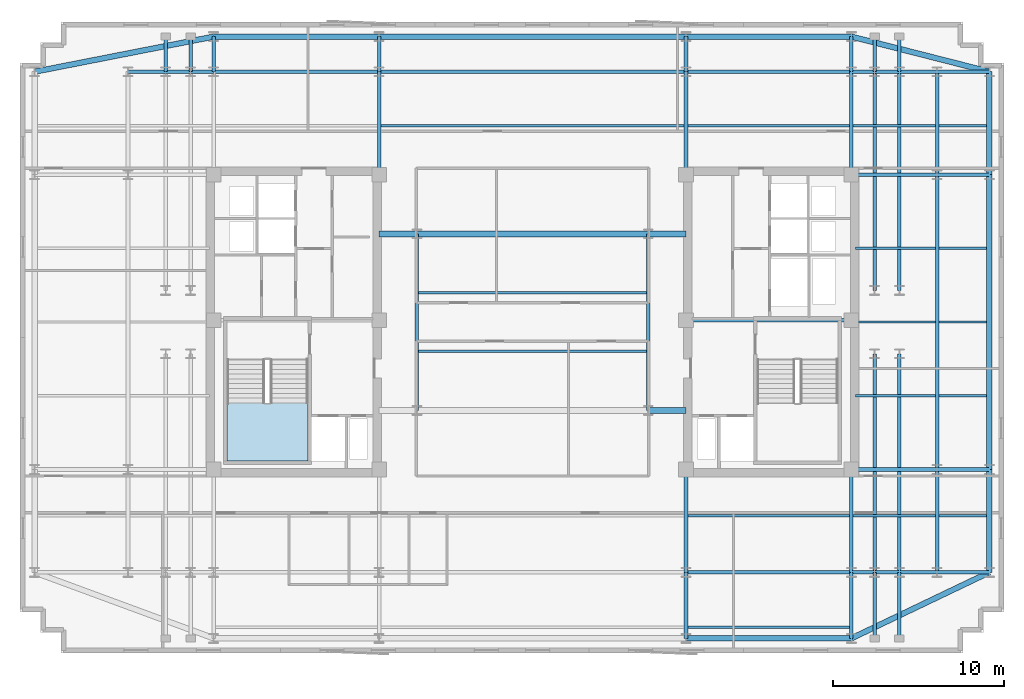
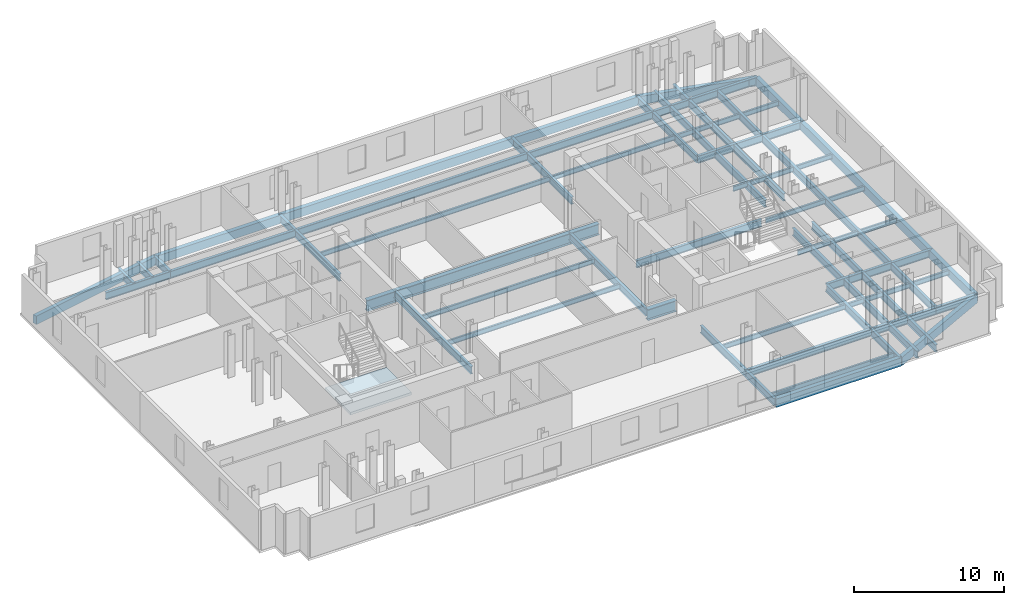
# One storey, part 2 of 9: 70 beams, 1 slab, 1 element without a shape of its own.
"""IFC4 building model written with IfcOpenShell, lengths in metres."""

from ifc_helpers import new_model, si_unit, direction, frame, origin, origin_2d, place, context, subcontext, project, spatial, polyline, rectangle, i_section, outline, extrude, material, layer, layer_set, material_profile, profile_set, type_object, element, aggregate, save


model = new_model("IFC4")

# Units and contexts
model_context = context("Model", 3, precision=1e-05, world=origin(), true_north=direction((0.0, 1.0)))
body_context = subcontext(model_context, "Body", "Model", "MODEL_VIEW")
ifc_project = project(units=[si_unit("LENGTHUNIT", "METRE"), si_unit("AREAUNIT", "SQUARE_METRE"), si_unit("VOLUMEUNIT", "CUBIC_METRE"), si_unit("PLANEANGLEUNIT", "RADIAN"), si_unit("MASSUNIT", "GRAM", prefix="KILO")], contexts=[model_context])

# Site, building, storey
site_placement = place(None, origin())
site = spatial("IfcSite", under=ifc_project, at=site_placement, CompositionType="ELEMENT")
building_placement = place(site_placement, origin())
building = spatial("IfcBuilding", under=site, at=building_placement, Name="Velakula Bourse", CompositionType="ELEMENT")
storey_placement = place(building_placement, frame((0.0, 0.0, 211.949951171875)))
storey = spatial("IfcBuildingStorey", under=building, at=storey_placement, Name="L57", CompositionType="ELEMENT", Elevation=211.949951171875)

# Beams
ifc_material_1 = material(Name="Steel IS 2062 Grade 350 (E350)", Category="steel")
ifc_material_profile_1 = material_profile(ifc_material_1, i_section(OverallWidth=0.2099609375, OverallDepth=0.60009765625, WebThickness=0.011962890625, FlangeThickness=0.020751953125, at=origin_2d()), Name="Steel IS 2062 Grade 350 (E350)")
ifc_profile_set_1 = profile_set([ifc_material_profile_1], Name="Steel IS 2062 Grade 350 (E350)")
beam_type_1 = type_object("IfcBeamType", Name="BM-GRD-600L", PredefinedType="BEAM", material=ifc_profile_set_1)
beam_1_placement = place(storey_placement, frame((8.949951171875, 0.10009765625, -0.47998046875), z_axis=(1.0, 0.0, 0.0), x_axis=(0.0, 1.0, 0.0)))
element("IfcBeam", 1, at=beam_1_placement, inside=storey, type_object=beam_type_1, Name="L57 Primary Backbone Girder CRE-M", PredefinedType="BEAM", context=body_context, shape_type="SweptSolid", body=[
    extrude(i_section(OverallWidth=0.2099609375, OverallDepth=0.60009765625, WebThickness=0.011962890625, FlangeThickness=0.020751953125, at=origin_2d()), origin(), (0.0, 0.0, 1.0), 9.650146484375),
])
for number, where, z_axis, x_axis, name in (
    (2, (-6.75, -5.14990234375, -0.47998046875), (0.0, 1.0, 0.0), (-1.0, 0.0, 0.0), "L57 Primary Backbone Girder SPN-W"),
    (3, (6.75, -5.14990234375, -0.47998046875), (0.0, 1.0, 0.0), (-1.0, 0.0, 0.0), "L57 Primary Backbone Girder SPN-E"),
):
    element("IfcBeam", number, at=place(storey_placement, frame(where, z_axis=z_axis, x_axis=x_axis)), inside=storey, type_object=beam_type_1, Name=name, PredefinedType="BEAM", context=body_context, shape_type="SweptSolid", body=[
        extrude(i_section(OverallWidth=0.2099609375, OverallDepth=0.60009765625, WebThickness=0.011962890625, FlangeThickness=0.020751953125, at=origin_2d()), origin(), (0.0, 0.0, 1.0), 10.2998046875),
    ])
for number, where, z_axis, x_axis, name in (
    (4, (-8.949951171875, 8.60009765625, -0.47998046875), (0.0, 1.0, 0.0), (-1.0, 0.0, 0.0), "L57 Fulcrum Grid Girder FLC-WCN"),
    (5, (8.949951171875, -14.60009765625, -0.47998046875), (0.0, 1.0, 0.0), (-1.0, 0.0, 0.0), "L57 Fulcrum Grid Girder FLC-ECS"),
    (6, (8.949951171875, 8.60009765625, -0.47998046875), (0.0, 1.0, 0.0), (-1.0, 0.0, 0.0), "L57 Fulcrum Grid Girder FLC-ECN"),
    (7, (18.60009765625, -14.60009765625, -0.47998046875), (0.0, 1.0, 0.0), (-1.0, 0.0, 0.0), "L57 Fulcrum Grid Girder FLC-ES"),
    (8, (18.60009765625, 8.60009765625, -0.47998046875), (0.0, 1.0, 0.0), (-1.0, 0.0, 0.0), "L57 Fulcrum Grid Girder FLC-EN"),
):
    element("IfcBeam", number, at=place(storey_placement, frame(where, z_axis=z_axis, x_axis=x_axis)), inside=storey, type_object=beam_type_1, Name=name, PredefinedType="BEAM", context=body_context, shape_type="SweptSolid", body=[
        extrude(i_section(OverallWidth=0.2099609375, OverallDepth=0.60009765625, WebThickness=0.011962890625, FlangeThickness=0.020751953125, at=origin_2d()), origin(), (0.0, 0.0, 1.0), 6.0),
    ])
for number, where, z_axis, x_axis, name in (
    (9, (8.949951171875, -14.60009765625, -0.47998046875), (1.0, 0.0, 0.0), (0.0, 1.0, 0.0), "L57 Fulcrum Grid Girder FLC-S3"),
    (10, (-18.60009765625, 14.60009765625, -0.47998046875), (1.0, 0.0, 0.0), (0.0, 1.0, 0.0), "L57 Fulcrum Grid Girder FLC-N1"),
):
    element("IfcBeam", number, at=place(storey_placement, frame(where, z_axis=z_axis, x_axis=x_axis)), inside=storey, type_object=beam_type_1, Name=name, PredefinedType="BEAM", context=body_context, shape_type="SweptSolid", body=[
        extrude(i_section(OverallWidth=0.2099609375, OverallDepth=0.60009765625, WebThickness=0.011962890625, FlangeThickness=0.020751953125, at=origin_2d()), origin(), (0.0, 0.0, 1.0), 9.650146484375),
    ])
beam_2_placement = place(storey_placement, frame((-8.949951171875, 14.60009765625, -0.47998046875), z_axis=(1.0, 0.0, 0.0), x_axis=(0.0, 1.0, 0.0)))
element("IfcBeam", 11, at=beam_2_placement, inside=storey, type_object=beam_type_1, Name="L57 Fulcrum Grid Girder FLC-N2", PredefinedType="BEAM", context=body_context, shape_type="SweptSolid", body=[
    extrude(i_section(OverallWidth=0.2099609375, OverallDepth=0.60009765625, WebThickness=0.011962890625, FlangeThickness=0.020751953125, at=origin_2d()), origin(), (0.0, 0.0, 1.0), 17.89990234375),
])
beam_3_placement = place(storey_placement, frame((8.949951171875, 14.60009765625, -0.47998046875), z_axis=(1.0, 0.0, 0.0), x_axis=(0.0, 1.0, 0.0)))
element("IfcBeam", 12, at=beam_3_placement, inside=storey, type_object=beam_type_1, Name="L57 Fulcrum Grid Girder FLC-N3", PredefinedType="BEAM", context=body_context, shape_type="SweptSolid", body=[
    extrude(i_section(OverallWidth=0.2099609375, OverallDepth=0.60009765625, WebThickness=0.011962890625, FlangeThickness=0.020751953125, at=origin_2d()), origin(), (0.0, 0.0, 1.0), 9.650146484375),
])
for number, where, z_axis, x_axis, name in (
    (13, (19.949951171875, -14.60009765625, -0.47998046875), (0.0, 1.0, 0.0), (-1.0, 0.0, 0.0), "L57 Fulcrum Grid Girder FLC-PSE1"),
    (14, (19.949951171875, 1.85009765625, -0.47998046875), (0.0, 1.0, 0.0), (-1.0, 0.0, 0.0), "L57 Fulcrum Grid Girder FLC-PNE1"),
    (15, (21.39990234375, -14.60009765625, -0.47998046875), (0.0, 1.0, 0.0), (-1.0, 0.0, 0.0), "L57 Fulcrum Grid Girder FLC-PSE2"),
    (16, (21.39990234375, 1.85009765625, -0.47998046875), (0.0, 1.0, 0.0), (-1.0, 0.0, 0.0), "L57 Fulcrum Grid Girder FLC-PNE2"),
):
    element("IfcBeam", number, at=place(storey_placement, frame(where, z_axis=z_axis, x_axis=x_axis)), inside=storey, type_object=beam_type_1, Name=name, PredefinedType="BEAM", context=body_context, shape_type="SweptSolid", body=[
        extrude(i_section(OverallWidth=0.2099609375, OverallDepth=0.60009765625, WebThickness=0.011962890625, FlangeThickness=0.020751953125, at=origin_2d()), origin(), (0.0, 0.0, 1.0), 12.75),
    ])
for number, where, z_axis, x_axis, name in (
    (17, (-23.60009765625, 14.60009765625, -0.47998046875), (1.0, 0.0, 0.0), (0.0, 1.0, 0.0), "L57 Fulcrum Grid Girder MWG-WN2"),
    (18, (18.60009765625, -14.60009765625, -0.47998046875), (1.0, 0.0, 0.0), (0.0, 1.0, 0.0), "L57 Fulcrum Grid Girder MWG-ES1"),
    (19, (18.60009765625, -8.60009765625, -0.47998046875), (1.0, 0.0, 0.0), (0.0, 1.0, 0.0), "L57 Fulcrum Grid Girder MWG-ES2"),
    (20, (18.60009765625, 8.60009765625, -0.47998046875), (1.0, 0.0, 0.0), (0.0, 1.0, 0.0), "L57 Fulcrum Grid Girder MWG-EN1"),
    (21, (18.60009765625, 14.60009765625, -0.47998046875), (1.0, 0.0, 0.0), (0.0, 1.0, 0.0), "L57 Fulcrum Grid Girder MWG-EN2"),
):
    element("IfcBeam", number, at=place(storey_placement, frame(where, z_axis=z_axis, x_axis=x_axis)), inside=storey, type_object=beam_type_1, Name=name, PredefinedType="BEAM", context=body_context, shape_type="SweptSolid", body=[
        extrude(i_section(OverallWidth=0.2099609375, OverallDepth=0.60009765625, WebThickness=0.011962890625, FlangeThickness=0.020751953125, at=origin_2d()), origin(), (0.0, 0.0, 1.0), 5.0),
    ])
beam_4_placement = place(storey_placement, frame((23.60009765625, -14.60009765625, -0.47998046875), z_axis=(0.0, 1.0, 0.0), x_axis=(-1.0, 0.0, 0.0)))
element("IfcBeam", 22, at=beam_4_placement, inside=storey, type_object=beam_type_1, Name="L57 Fulcrum Grid Girder MWG-ENS1", PredefinedType="BEAM", context=body_context, shape_type="SweptSolid", body=[
    extrude(i_section(OverallWidth=0.2099609375, OverallDepth=0.60009765625, WebThickness=0.011962890625, FlangeThickness=0.020751953125, at=origin_2d()), origin(), (0.0, 0.0, 1.0), 6.0),
])
beam_5_placement = place(storey_placement, frame((23.60009765625, -8.60009765625, -0.47998046875), z_axis=(0.0, 1.0, 0.0), x_axis=(-1.0, 0.0, 0.0)))
element("IfcBeam", 23, at=beam_5_placement, inside=storey, type_object=beam_type_1, Name="L57 Fulcrum Grid Girder MWG-ENS2", PredefinedType="BEAM", context=body_context, shape_type="SweptSolid", body=[
    extrude(i_section(OverallWidth=0.2099609375, OverallDepth=0.60009765625, WebThickness=0.011962890625, FlangeThickness=0.020751953125, at=origin_2d()), origin(), (0.0, 0.0, 1.0), 17.2001953125),
])
beam_6_placement = place(storey_placement, frame((23.60009765625, 8.60009765625, -0.47998046875), z_axis=(0.0, 1.0, 0.0), x_axis=(-1.0, 0.0, 0.0)))
element("IfcBeam", 24, at=beam_6_placement, inside=storey, type_object=beam_type_1, Name="L57 Fulcrum Grid Girder MWG-ENS3", PredefinedType="BEAM", context=body_context, shape_type="SweptSolid", body=[
    extrude(i_section(OverallWidth=0.2099609375, OverallDepth=0.60009765625, WebThickness=0.011962890625, FlangeThickness=0.020751953125, at=origin_2d()), origin(), (0.0, 0.0, 1.0), 6.0),
])
for number, where, z_axis, x_axis, name in (
    (25, (8.949951171875, -14.60009765625, -0.47998046875), (0.0, -1.0, 0.0), (1.0, 0.0, 0.0), "L57 Perimeter Tie Girder S3"),
    (26, (18.60009765625, -14.60009765625, -0.47998046875), (0.0, -1.0, 0.0), (1.0, 0.0, 0.0), "L57 Perimeter Tie Girder S4"),
):
    element("IfcBeam", number, at=place(storey_placement, frame(where, z_axis=z_axis, x_axis=x_axis)), inside=storey, type_object=beam_type_1, Name=name, PredefinedType="BEAM", context=body_context, shape_type="SweptSolid", body=[
        extrude(i_section(OverallWidth=0.2099609375, OverallDepth=0.60009765625, WebThickness=0.011962890625, FlangeThickness=0.020751953125, at=origin_2d()), origin(), (0.0, 0.0, 1.0), 3.849853515625),
    ])
for number, where, z_axis, x_axis, name in (
    (27, (-18.60009765625, 14.60009765625, -0.47998046875), (0.0, 1.0, 0.0), (-1.0, 0.0, 0.0), "L57 Perimeter Tie Girder N1"),
    (28, (-8.949951171875, 14.60009765625, -0.47998046875), (0.0, 1.0, 0.0), (-1.0, 0.0, 0.0), "L57 Perimeter Tie Girder N2"),
    (29, (8.949951171875, 14.60009765625, -0.47998046875), (0.0, 1.0, 0.0), (-1.0, 0.0, 0.0), "L57 Perimeter Tie Girder N3"),
    (30, (18.60009765625, 14.60009765625, -0.47998046875), (0.0, 1.0, 0.0), (-1.0, 0.0, 0.0), "L57 Perimeter Tie Girder N4"),
):
    element("IfcBeam", number, at=place(storey_placement, frame(where, z_axis=z_axis, x_axis=x_axis)), inside=storey, type_object=beam_type_1, Name=name, PredefinedType="BEAM", context=body_context, shape_type="SweptSolid", body=[
        extrude(i_section(OverallWidth=0.2099609375, OverallDepth=0.60009765625, WebThickness=0.011962890625, FlangeThickness=0.020751953125, at=origin_2d()), origin(), (0.0, 0.0, 1.0), 2.0498046875),
    ])
for number, where, z_axis, x_axis, name in (
    (31, (23.60009765625, -14.60009765625, -0.47998046875), (1.0, 0.0, 0.0), (0.0, 1.0, 0.0), "L57 Perimeter Tie Girder E1"),
    (32, (23.60009765625, -8.60009765625, -0.47998046875), (1.0, 0.0, 0.0), (0.0, 1.0, 0.0), "L57 Perimeter Tie Girder E2"),
    (33, (23.60009765625, 8.60009765625, -0.47998046875), (1.0, 0.0, 0.0), (0.0, 1.0, 0.0), "L57 Perimeter Tie Girder E3"),
    (34, (23.60009765625, 14.60009765625, -0.47998046875), (1.0, 0.0, 0.0), (0.0, 1.0, 0.0), "L57 Perimeter Tie Girder E4"),
):
    element("IfcBeam", number, at=place(storey_placement, frame(where, z_axis=z_axis, x_axis=x_axis)), inside=storey, type_object=beam_type_1, Name=name, PredefinedType="BEAM", context=body_context, shape_type="SweptSolid", body=[
        extrude(i_section(OverallWidth=0.2099609375, OverallDepth=0.60009765625, WebThickness=0.011962890625, FlangeThickness=0.020751953125, at=origin_2d()), origin(), (0.0, 0.0, 1.0), 3.0498046875),
    ])
for number, where, z_axis, x_axis, name in (
    (35, (19.949951171875, -14.60009765625, -0.47998046875), (0.0, -1.0, 0.0), (1.0, 0.0, 0.0), "L57 Perimeter Tie Girder P03"),
    (36, (21.39990234375, -14.60009765625, -0.47998046875), (0.0, -1.0, 0.0), (1.0, 0.0, 0.0), "L57 Perimeter Tie Girder P04"),
):
    element("IfcBeam", number, at=place(storey_placement, frame(where, z_axis=z_axis, x_axis=x_axis)), inside=storey, type_object=beam_type_1, Name=name, PredefinedType="BEAM", context=body_context, shape_type="SweptSolid", body=[
        extrude(i_section(OverallWidth=0.2099609375, OverallDepth=0.60009765625, WebThickness=0.011962890625, FlangeThickness=0.020751953125, at=origin_2d()), origin(), (0.0, 0.0, 1.0), 3.849853515625),
    ])
for number, where, z_axis, x_axis, name in (
    (37, (-21.39990234375, 14.60009765625, -0.47998046875), (0.0, 1.0, 0.0), (-1.0, 0.0, 0.0), "L57 Perimeter Tie Girder P05"),
    (38, (-19.949951171875, 14.60009765625, -0.47998046875), (0.0, 1.0, 0.0), (-1.0, 0.0, 0.0), "L57 Perimeter Tie Girder P06"),
    (39, (19.949951171875, 14.60009765625, -0.47998046875), (0.0, 1.0, 0.0), (-1.0, 0.0, 0.0), "L57 Perimeter Tie Girder P07"),
    (40, (21.39990234375, 14.60009765625, -0.47998046875), (0.0, 1.0, 0.0), (-1.0, 0.0, 0.0), "L57 Perimeter Tie Girder P08"),
):
    element("IfcBeam", number, at=place(storey_placement, frame(where, z_axis=z_axis, x_axis=x_axis)), inside=storey, type_object=beam_type_1, Name=name, PredefinedType="BEAM", context=body_context, shape_type="SweptSolid", body=[
        extrude(i_section(OverallWidth=0.2099609375, OverallDepth=0.60009765625, WebThickness=0.011962890625, FlangeThickness=0.020751953125, at=origin_2d()), origin(), (0.0, 0.0, 1.0), 2.0498046875),
    ])
ifc_material_profile_2 = material_profile(ifc_material_1, i_section(OverallWidth=0.35009765625, OverallDepth=0.89990234375, WebThickness=0.02001953125, FlangeThickness=0.031982421875, at=origin_2d()), Name="Steel IS 2062 Grade 350 (E350)")
ifc_profile_set_2 = profile_set([ifc_material_profile_2], Name="Steel IS 2062 Grade 350 (E350)")
beam_type_2 = type_object("IfcBeamType", Name="BM-LNK-900", PredefinedType="BEAM", material=ifc_profile_set_2)
for number, where, z_axis, x_axis, name in (
    (41, (6.75, -5.14990234375, -0.6298828125), (1.0, 0.0, 0.0), (0.0, 1.0, 0.0), "L57 Primary Backbone Girder LNK-S3"),
    (42, (-8.949951171875, 5.14990234375, -0.6298828125), (1.0, 0.0, 0.0), (0.0, 1.0, 0.0), "L57 Primary Backbone Girder LNK-N1"),
):
    element("IfcBeam", number, at=place(storey_placement, frame(where, z_axis=z_axis, x_axis=x_axis)), inside=storey, type_object=beam_type_2, Name=name, PredefinedType="BEAM", context=body_context, shape_type="SweptSolid", body=[
        extrude(i_section(OverallWidth=0.35009765625, OverallDepth=0.89990234375, WebThickness=0.02001953125, FlangeThickness=0.031982421875, at=origin_2d()), origin(), (0.0, 0.0, 1.0), 2.199951171875),
    ])
beam_7_placement = place(storey_placement, frame((-6.75, 5.14990234375, -0.6298828125), z_axis=(1.0, 0.0, 0.0), x_axis=(0.0, 1.0, 0.0)))
element("IfcBeam", 43, at=beam_7_placement, inside=storey, type_object=beam_type_2, Name="L57 Primary Backbone Girder LNK-N2", PredefinedType="BEAM", context=body_context, shape_type="SweptSolid", body=[
    extrude(i_section(OverallWidth=0.35009765625, OverallDepth=0.89990234375, WebThickness=0.02001953125, FlangeThickness=0.031982421875, at=origin_2d()), origin(), (0.0, 0.0, 1.0), 13.5),
])
beam_8_placement = place(storey_placement, frame((6.75, 5.14990234375, -0.6298828125), z_axis=(1.0, 0.0, 0.0), x_axis=(0.0, 1.0, 0.0)))
element("IfcBeam", 44, at=beam_8_placement, inside=storey, type_object=beam_type_2, Name="L57 Primary Backbone Girder LNK-N3", PredefinedType="BEAM", context=body_context, shape_type="SweptSolid", body=[
    extrude(i_section(OverallWidth=0.35009765625, OverallDepth=0.89990234375, WebThickness=0.02001953125, FlangeThickness=0.031982421875, at=origin_2d()), origin(), (0.0, 0.0, 1.0), 2.199951171875),
])
ifc_material_profile_3 = material_profile(ifc_material_1, i_section(OverallWidth=0.139892578125, OverallDepth=0.39990234375, WebThickness=0.0087890625, FlangeThickness=0.01611328125, at=origin_2d()), Name="Steel IS 2062 Grade 350 (E350)")
ifc_profile_set_3 = profile_set([ifc_material_profile_3], Name="Steel IS 2062 Grade 350 (E350)")
beam_type_3 = type_object("IfcBeamType", Name="JST-TWR-400", PredefinedType="JOIST", material=ifc_profile_set_3)
for number, where, z_axis, x_axis, name in (
    (45, (9.054931640625, -17.800048828125, -0.3798828125), (1.0, 0.0, 0.0), (0.0, 1.0, 0.0), "L57 Trading Floor Composite Joist 03"),
    (46, (9.054931640625, -11.300048828125, -0.3798828125), (1.0, 0.0, 0.0), (0.0, 1.0, 0.0), "L57 Trading Floor Composite Joist 08"),
):
    element("IfcBeam", number, at=place(storey_placement, frame(where, z_axis=z_axis, x_axis=x_axis)), inside=storey, type_object=beam_type_3, Name=name, PredefinedType="JOIST", context=body_context, shape_type="SweptSolid", body=[
        extrude(i_section(OverallWidth=0.139892578125, OverallDepth=0.39990234375, WebThickness=0.0087890625, FlangeThickness=0.01611328125, at=origin_2d()), origin(), (0.0, 0.0, 1.0), 9.440185546875),
    ])
beam_9_placement = place(storey_placement, frame((18.705078125, -11.300048828125, -0.3798828125), z_axis=(1.0, 0.0, 0.0), x_axis=(0.0, 1.0, 0.0)))
element("IfcBeam", 47, at=beam_9_placement, inside=storey, type_object=beam_type_3, Name="L57 Trading Floor Composite Joist 09", PredefinedType="JOIST", context=body_context, shape_type="SweptSolid", body=[
    extrude(i_section(OverallWidth=0.139892578125, OverallDepth=0.39990234375, WebThickness=0.0087890625, FlangeThickness=0.01611328125, at=origin_2d()), origin(), (0.0, 0.0, 1.0), 4.7900390625),
])
beam_10_placement = place(storey_placement, frame((23.705078125, -11.300048828125, -0.3798828125), z_axis=(1.0, 0.0, 0.0), x_axis=(0.0, 1.0, 0.0)))
element("IfcBeam", 48, at=beam_10_placement, inside=storey, type_object=beam_type_3, Name="L57 Trading Floor Composite Joist 10", PredefinedType="JOIST", context=body_context, shape_type="SweptSolid", body=[
    extrude(i_section(OverallWidth=0.139892578125, OverallDepth=0.39990234375, WebThickness=0.0087890625, FlangeThickness=0.01611328125, at=origin_2d()), origin(), (0.0, 0.0, 1.0), 2.784912109375),
])
beam_11_placement = place(storey_placement, frame((-8.844970703125, 11.449951171875, -0.3798828125), z_axis=(1.0, 0.0, 0.0), x_axis=(0.0, 1.0, 0.0)))
element("IfcBeam", 49, at=beam_11_placement, inside=storey, type_object=beam_type_3, Name="L57 Trading Floor Composite Joist 14", PredefinedType="JOIST", context=body_context, shape_type="SweptSolid", body=[
    extrude(i_section(OverallWidth=0.139892578125, OverallDepth=0.39990234375, WebThickness=0.0087890625, FlangeThickness=0.01611328125, at=origin_2d()), origin(), (0.0, 0.0, 1.0), 17.68994140625),
])
beam_12_placement = place(storey_placement, frame((9.054931640625, 11.449951171875, -0.3798828125), z_axis=(1.0, 0.0, 0.0), x_axis=(0.0, 1.0, 0.0)))
element("IfcBeam", 50, at=beam_12_placement, inside=storey, type_object=beam_type_3, Name="L57 Trading Floor Composite Joist 15", PredefinedType="JOIST", context=body_context, shape_type="SweptSolid", body=[
    extrude(i_section(OverallWidth=0.139892578125, OverallDepth=0.39990234375, WebThickness=0.0087890625, FlangeThickness=0.01611328125, at=origin_2d()), origin(), (0.0, 0.0, 1.0), 9.440185546875),
])
beam_13_placement = place(storey_placement, frame((18.705078125, 11.449951171875, -0.3798828125), z_axis=(1.0, 0.0, 0.0), x_axis=(0.0, 1.0, 0.0)))
element("IfcBeam", 51, at=beam_13_placement, inside=storey, type_object=beam_type_3, Name="L57 Trading Floor Composite Joist 16", PredefinedType="JOIST", context=body_context, shape_type="SweptSolid", body=[
    extrude(i_section(OverallWidth=0.139892578125, OverallDepth=0.39990234375, WebThickness=0.0087890625, FlangeThickness=0.01611328125, at=origin_2d()), origin(), (0.0, 0.0, 1.0), 4.7900390625),
])
beam_14_placement = place(storey_placement, frame((23.705078125, 11.449951171875, -0.3798828125), z_axis=(1.0, 0.0, 0.0), x_axis=(0.0, 1.0, 0.0)))
element("IfcBeam", 52, at=beam_14_placement, inside=storey, type_object=beam_type_3, Name="L57 Trading Floor Composite Joist 17", PredefinedType="JOIST", context=body_context, shape_type="SweptSolid", body=[
    extrude(i_section(OverallWidth=0.139892578125, OverallDepth=0.39990234375, WebThickness=0.0087890625, FlangeThickness=0.01611328125, at=origin_2d()), origin(), (0.0, 0.0, 1.0), 2.784912109375),
])
for number, where, z_axis, x_axis, name in (
    (53, (-6.64501953125, -1.699951171875, -0.3798828125), (1.0, 0.0, 0.0), (0.0, 1.0, 0.0), "L57 Trading Floor Composite Joist 18"),
    (54, (-6.64501953125, 1.699951171875, -0.3798828125), (1.0, 0.0, 0.0), (0.0, 1.0, 0.0), "L57 Trading Floor Composite Joist 19"),
):
    element("IfcBeam", number, at=place(storey_placement, frame(where, z_axis=z_axis, x_axis=x_axis)), inside=storey, type_object=beam_type_3, Name=name, PredefinedType="JOIST", context=body_context, shape_type="SweptSolid", body=[
        extrude(i_section(OverallWidth=0.139892578125, OverallDepth=0.39990234375, WebThickness=0.0087890625, FlangeThickness=0.01611328125, at=origin_2d()), origin(), (0.0, 0.0, 1.0), 13.2900390625),
    ])
beam_15_placement = place(storey_placement, frame((18.85009765625, -4.300048828125, -0.3798828125), z_axis=(1.0, 0.0, 0.0), x_axis=(0.0, 1.0, 0.0)))
element("IfcBeam", 55, at=beam_15_placement, inside=storey, type_object=beam_type_3, Name="L57 Trading Floor Composite Joist 22", PredefinedType="JOIST", context=body_context, shape_type="SweptSolid", body=[
    extrude(i_section(OverallWidth=0.139892578125, OverallDepth=0.39990234375, WebThickness=0.0087890625, FlangeThickness=0.01611328125, at=origin_2d()), origin(), (0.0, 0.0, 1.0), 4.64501953125),
])
beam_16_placement = place(storey_placement, frame((23.705078125, -4.300048828125, -0.3798828125), z_axis=(1.0, 0.0, 0.0), x_axis=(0.0, 1.0, 0.0)))
element("IfcBeam", 56, at=beam_16_placement, inside=storey, type_object=beam_type_3, Name="L57 Trading Floor Composite Joist 23", PredefinedType="JOIST", context=body_context, shape_type="SweptSolid", body=[
    extrude(i_section(OverallWidth=0.139892578125, OverallDepth=0.39990234375, WebThickness=0.0087890625, FlangeThickness=0.01611328125, at=origin_2d()), origin(), (0.0, 0.0, 1.0), 2.784912109375),
])
beam_17_placement = place(storey_placement, frame((18.85009765625, 0.0, -0.3798828125), z_axis=(1.0, 0.0, 0.0), x_axis=(0.0, 1.0, 0.0)))
element("IfcBeam", 57, at=beam_17_placement, inside=storey, type_object=beam_type_3, Name="L57 Trading Floor Composite Joist 26", PredefinedType="JOIST", context=body_context, shape_type="SweptSolid", body=[
    extrude(i_section(OverallWidth=0.139892578125, OverallDepth=0.39990234375, WebThickness=0.0087890625, FlangeThickness=0.01611328125, at=origin_2d()), origin(), (0.0, 0.0, 1.0), 4.64501953125),
])
beam_18_placement = place(storey_placement, frame((23.705078125, 0.0, -0.3798828125), z_axis=(1.0, 0.0, 0.0), x_axis=(0.0, 1.0, 0.0)))
element("IfcBeam", 58, at=beam_18_placement, inside=storey, type_object=beam_type_3, Name="L57 Trading Floor Composite Joist 27", PredefinedType="JOIST", context=body_context, shape_type="SweptSolid", body=[
    extrude(i_section(OverallWidth=0.139892578125, OverallDepth=0.39990234375, WebThickness=0.0087890625, FlangeThickness=0.01611328125, at=origin_2d()), origin(), (0.0, 0.0, 1.0), 2.784912109375),
])
beam_19_placement = place(storey_placement, frame((18.85009765625, 4.300048828125, -0.3798828125), z_axis=(1.0, 0.0, 0.0), x_axis=(0.0, 1.0, 0.0)))
element("IfcBeam", 59, at=beam_19_placement, inside=storey, type_object=beam_type_3, Name="L57 Trading Floor Composite Joist 30", PredefinedType="JOIST", context=body_context, shape_type="SweptSolid", body=[
    extrude(i_section(OverallWidth=0.139892578125, OverallDepth=0.39990234375, WebThickness=0.0087890625, FlangeThickness=0.01611328125, at=origin_2d()), origin(), (0.0, 0.0, 1.0), 4.64501953125),
])
beam_20_placement = place(storey_placement, frame((23.705078125, 4.300048828125, -0.3798828125), z_axis=(1.0, 0.0, 0.0), x_axis=(0.0, 1.0, 0.0)))
element("IfcBeam", 60, at=beam_20_placement, inside=storey, type_object=beam_type_3, Name="L57 Trading Floor Composite Joist 31", PredefinedType="JOIST", context=body_context, shape_type="SweptSolid", body=[
    extrude(i_section(OverallWidth=0.139892578125, OverallDepth=0.39990234375, WebThickness=0.0087890625, FlangeThickness=0.01611328125, at=origin_2d()), origin(), (0.0, 0.0, 1.0), 2.784912109375),
])
ifc_material_2 = material(Name="Precast concrete M45 (fck 45 MPa)", Category="concrete")
ifc_material_profile_4 = material_profile(ifc_material_2, rectangle(XDim=0.320068359375, YDim=0.679931640625, at=origin_2d()), Name="Precast concrete M45 (fck 45 MPa)")
ifc_profile_set_4 = profile_set([ifc_material_profile_4], Name="Precast concrete M45 (fck 45 MPa)")
beam_type_4 = type_object("IfcBeamType", Name="SPN-BRICK-680", PredefinedType="SPANDREL", material=ifc_profile_set_4)
for number, where, z_axis, x_axis, name in (
    (61, (8.949951171875, -18.449951171875, -0.52001953125), (1.0, 0.0, 0.0), (0.0, 1.0, 0.0), "L57 Brick-Faced Precast Spandrel S3-S4"),
    (62, (-18.60009765625, 16.64990234375, -0.52001953125), (1.0, 0.0, 0.0), (0.0, 1.0, 0.0), "L57 Brick-Faced Precast Spandrel N1-N2"),
):
    element("IfcBeam", number, at=place(storey_placement, frame(where, z_axis=z_axis, x_axis=x_axis)), inside=storey, type_object=beam_type_4, Name=name, PredefinedType="SPANDREL", context=body_context, shape_type="SweptSolid", body=[
        extrude(rectangle(XDim=0.320068359375, YDim=0.679931640625, at=origin_2d()), origin(), (0.0, 0.0, 1.0), 9.650146484375),
    ])
beam_21_placement = place(storey_placement, frame((-8.949951171875, 16.64990234375, -0.52001953125), z_axis=(1.0, 0.0, 0.0), x_axis=(0.0, 1.0, 0.0)))
element("IfcBeam", 63, at=beam_21_placement, inside=storey, type_object=beam_type_4, Name="L57 Brick-Faced Precast Spandrel N2-N3", PredefinedType="SPANDREL", context=body_context, shape_type="SweptSolid", body=[
    extrude(rectangle(XDim=0.320068359375, YDim=0.679931640625, at=origin_2d()), origin(), (0.0, 0.0, 1.0), 17.89990234375),
])
beam_22_placement = place(storey_placement, frame((8.949951171875, 16.64990234375, -0.52001953125), z_axis=(1.0, 0.0, 0.0), x_axis=(0.0, 1.0, 0.0)))
element("IfcBeam", 64, at=beam_22_placement, inside=storey, type_object=beam_type_4, Name="L57 Brick-Faced Precast Spandrel N3-N4", PredefinedType="SPANDREL", context=body_context, shape_type="SweptSolid", body=[
    extrude(rectangle(XDim=0.320068359375, YDim=0.679931640625, at=origin_2d()), origin(), (0.0, 0.0, 1.0), 9.650146484375),
])
beam_23_placement = place(storey_placement, frame((26.64990234375, -14.60009765625, -0.52001953125), z_axis=(0.0, 1.0, 0.0), x_axis=(-1.0, 0.0, 0.0)))
element("IfcBeam", 65, at=beam_23_placement, inside=storey, type_object=beam_type_4, Name="L57 Brick-Faced Precast Spandrel E1-E2", PredefinedType="SPANDREL", context=body_context, shape_type="SweptSolid", body=[
    extrude(rectangle(XDim=0.320068359375, YDim=0.679931640625, at=origin_2d()), origin(), (0.0, 0.0, 1.0), 6.0),
])
beam_24_placement = place(storey_placement, frame((26.64990234375, -8.60009765625, -0.52001953125), z_axis=(0.0, 1.0, 0.0), x_axis=(-1.0, 0.0, 0.0)))
element("IfcBeam", 66, at=beam_24_placement, inside=storey, type_object=beam_type_4, Name="L57 Brick-Faced Precast Spandrel E2-E3", PredefinedType="SPANDREL", context=body_context, shape_type="SweptSolid", body=[
    extrude(rectangle(XDim=0.320068359375, YDim=0.679931640625, at=origin_2d()), origin(), (0.0, 0.0, 1.0), 17.2001953125),
])
beam_25_placement = place(storey_placement, frame((26.64990234375, 8.60009765625, -0.52001953125), z_axis=(0.0, 1.0, 0.0), x_axis=(-1.0, 0.0, 0.0)))
element("IfcBeam", 67, at=beam_25_placement, inside=storey, type_object=beam_type_4, Name="L57 Brick-Faced Precast Spandrel E3-E4", PredefinedType="SPANDREL", context=body_context, shape_type="SweptSolid", body=[
    extrude(rectangle(XDim=0.320068359375, YDim=0.679931640625, at=origin_2d()), origin(), (0.0, 0.0, 1.0), 6.0),
])
beam_26_placement = place(storey_placement, frame((18.60009765625, -18.449951171875, -0.52001953125), z_axis=(0.902136536758, 0.431450656561, 0.0), x_axis=(-0.431450656561, 0.902136536758, 0.0)))
element("IfcBeam", 68, at=beam_26_placement, inside=storey, type_object=beam_type_4, Name="L57 Brick-Faced Precast Spandrel S4-E1", PredefinedType="SPANDREL", context=body_context, shape_type="SweptSolid", body=[
    extrude(rectangle(XDim=0.320068359375, YDim=0.679931640625, at=origin_2d()), origin(), (0.0, 0.0, 1.0), 8.923095703125),
])
beam_27_placement = place(storey_placement, frame((26.64990234375, 14.60009765625, -0.52001953125), z_axis=(-0.969075197656, 0.246765599888, 0.0), x_axis=(-0.246765599888, -0.969075197656, 0.0)))
element("IfcBeam", 69, at=beam_27_placement, inside=storey, type_object=beam_type_4, Name="L57 Brick-Faced Precast Spandrel E4-N4", PredefinedType="SPANDREL", context=body_context, shape_type="SweptSolid", body=[
    extrude(rectangle(XDim=0.320068359375, YDim=0.679931640625, at=origin_2d()), origin(), (0.0, 0.0, 1.0), 8.306640625),
])
beam_28_placement = place(storey_placement, frame((-18.60009765625, 16.64990234375, -0.52001953125), z_axis=(-0.981299657048, -0.192486319197, 0.0), x_axis=(0.192486319197, -0.981299657048, 0.0)))
element("IfcBeam", 70, at=beam_28_placement, inside=storey, type_object=beam_type_4, Name="L57 Brick-Faced Precast Spandrel N1-W4", PredefinedType="SPANDREL", context=body_context, shape_type="SweptSolid", body=[
    extrude(rectangle(XDim=0.320068359375, YDim=0.679931640625, at=origin_2d()), origin(), (0.0, 0.0, 1.0), 10.649169921875),
])

# Stair, slab
ifc_material_3 = material(Name="Concrete M45 (fck 45 MPa)", Category="concrete")
stair_type = type_object("IfcStairType", Name="STR-DOG-390", PredefinedType="HALF_TURN_STAIR", material=ifc_material_3)
stair_placement = place(storey_placement, origin())
stair = element("IfcStair", 71, at=stair_placement, inside=storey, type_object=stair_type, Name="L57 West Core Exit Stair ST-W1", PredefinedType="HALF_TURN_STAIR")
ifc_layer = layer(ifc_material_3, 0.199951171875, Name="Concrete M45 (fck 45 MPa)", Category="concrete")
ifc_layer_set = layer_set([ifc_layer], Name="Concrete M45 (fck 45 MPa)")
slab_type = type_object("IfcSlabType", Name="SLB-STAIR-LND-200", PredefinedType="LANDING", material=ifc_layer_set)
slab_placement = place(storey_placement, frame((0.0, 0.0, 1.525146484375)))
slab = element("IfcSlab", 72, at=slab_placement, type_object=slab_type, Name="ST-W1 landing 1", PredefinedType="LANDING", context=body_context, shape_type="SweptSolid", body=[
    extrude(outline(polyline([(-17.820068359375, -4.719970703125), (-17.820068359375, -8.10009765625), (-13.10009765625, -8.10009765625), (-13.10009765625, -4.719970703125), (-17.820068359375, -4.719970703125)])), origin(), (0.0, 0.0, 1.0), 0.199951171875),
])
aggregate(stair, [slab])

save(model, "model.ifc")
